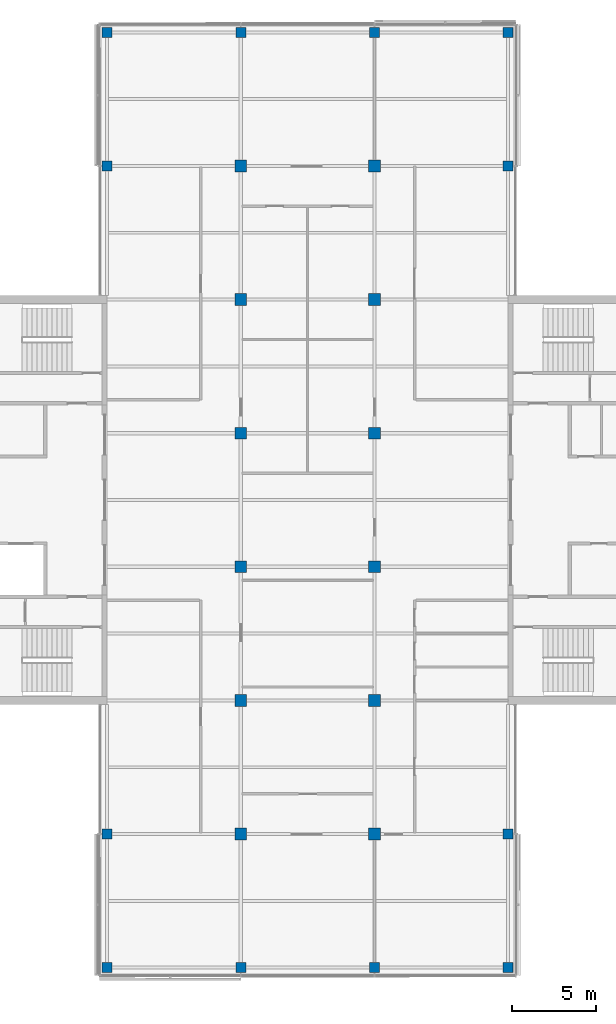
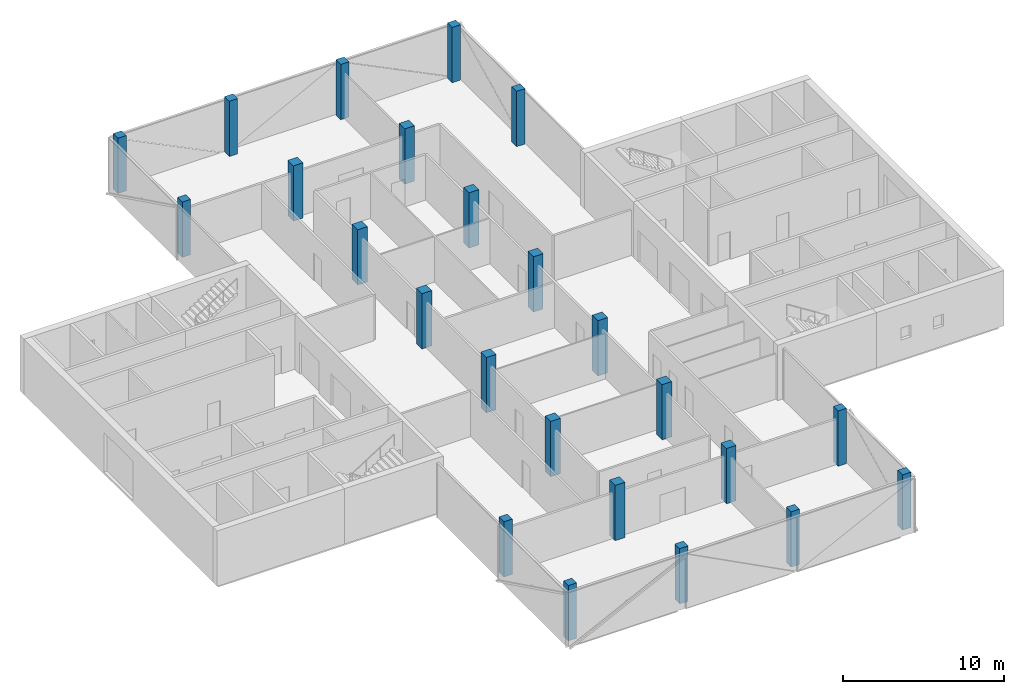
# One storey, part 1 of 15: 24 columns.
"""IFC4 building model written with IfcOpenShell, lengths in metres."""

import ifcopenshell
import ifcopenshell.guid

model = None  # the IFC model being written
_history = None  # IfcOwnerHistory: only IFC2X3 demands one
_inside = {}  # id of a spatial element -> (the spatial element, [elements in it])
_under = {}  # id of a project, library or spatial element -> (it, [spatial elements below it])
_declared = {}  # id of a project -> (the project, [libraries it declares])
_typed = {}  # id of a type object -> (the type object, [elements of that type])
_made_of = {}  # id of a material, layer set ... -> (it, [elements and type objects made of it])


def new_model(schema):
    """Start an empty IFC model of exactly this schema.

    Asked for "IFC4X3", IfcOpenShell would pick the latest addendum, in which some entities
    have other attributes; the version numbers below select the first issue.
    IFC2X3 requires an IfcOwnerHistory on every rooted entity: one is made here for all.
    """
    global model, _history
    if schema == "IFC4X3":
        model = ifcopenshell.file(schema_version=(4, 3, 0, 0))
    else:
        model = ifcopenshell.file(schema=schema)
    _inside.clear()
    _under.clear()
    _declared.clear()
    _typed.clear()
    _made_of.clear()
    _history = None
    if model.schema == "IFC2X3":
        org = make("IfcOrganization", Name="unknown")
        user = make(
            "IfcPersonAndOrganization",
            ThePerson=make("IfcPerson", FamilyName="unknown"),
            TheOrganization=org,
        )
        app = make(
            "IfcApplication",
            ApplicationDeveloper=org,
            Version="unknown",
            ApplicationFullName="unknown",
            ApplicationIdentifier="unknown",
        )
        _history = make(
            "IfcOwnerHistory",
            OwningUser=user,
            OwningApplication=app,
            ChangeAction="ADDED",
            CreationDate=0,
        )
    return model


def make(cls, **values):
    """One entity of the class cls with the attributes given. An attribute that is None is left unset."""
    return model.create_entity(
        cls, **{name: value for name, value in values.items() if value is not None}
    )


def rooted(cls, **values):
    """An entity with a GlobalId (a new one), such as an element, a storey or a relation."""
    return make(cls, GlobalId=ifcopenshell.guid.new(), OwnerHistory=_history, **values)


def si_unit(unit_type, name, prefix=None):
    """IfcSIUnit, for example si_unit("LENGTHUNIT", "METRE", prefix="MILLI")."""
    return make("IfcSIUnit", UnitType=unit_type, Prefix=prefix, Name=name)


def assignment(units):
    """IfcUnitAssignment: the units of a project."""
    return None if units is None else make("IfcUnitAssignment", Units=units)


def point(xyz):
    """IfcCartesianPoint."""
    return None if xyz is None else make("IfcCartesianPoint", Coordinates=xyz)


def direction(xyz):
    """IfcDirection."""
    return None if xyz is None else make("IfcDirection", DirectionRatios=xyz)


def frame(location, z_axis=None, x_axis=None):
    """IfcAxis2Placement3D, a coordinate frame: its origin and axes. An axis left out is left unset."""
    return make(
        "IfcAxis2Placement3D",
        Location=point(location),
        Axis=direction(z_axis),
        RefDirection=direction(x_axis),
    )


def frame_2d(location, x_axis=None):
    """IfcAxis2Placement2D, a coordinate frame in the plane: its origin and x axis."""
    return make(
        "IfcAxis2Placement2D", Location=point(location), RefDirection=direction(x_axis)
    )


def origin():
    """The frame at (0, 0, 0) with its axes left unset."""
    return frame((0.0, 0.0, 0.0))


def origin_2d():
    """The frame at (0, 0) in the plane with its x axis left unset."""
    return frame_2d((0.0, 0.0))


def place(relative_to, where):
    """IfcLocalPlacement: puts the frame where relative to a parent placement (None: the world)."""
    return make(
        "IfcLocalPlacement", PlacementRelTo=relative_to, RelativePlacement=where
    )


def context(
    kind, dimensions, precision=None, world=None, true_north=None, identifier=None
):
    """IfcGeometricRepresentationContext, for example the 3D "Model" context."""
    return make(
        "IfcGeometricRepresentationContext",
        ContextIdentifier=identifier,
        ContextType=kind,
        CoordinateSpaceDimension=dimensions,
        Precision=precision,
        WorldCoordinateSystem=world,
        TrueNorth=true_north,
    )


def subcontext(parent, identifier, kind, view, scale=None):
    """IfcGeometricRepresentationSubContext, for example "Body" below "Model"."""
    return make(
        "IfcGeometricRepresentationSubContext",
        ContextIdentifier=identifier,
        ContextType=kind,
        ParentContext=parent,
        TargetScale=scale,
        TargetView=view,
    )


def project(units=None, contexts=None):
    """IfcProject with its units and contexts."""
    return rooted(
        "IfcProject",
        Name="project",
        RepresentationContexts=contexts,
        UnitsInContext=assignment(units),
    )


def spatial(cls, under=None, at=None, **own):
    """A site, building, storey or space (cls), placed at a placement, below another one or the project."""
    s = rooted(cls, ObjectPlacement=at, **own)
    if under is not None:
        _under.setdefault(under.id(), (under, []))[1].append(s)
    return s


def profile(cls, at=None, kind="AREA", **sizes):
    """A parametric profile (cls). Its sizes go by their IFC names, for example OverallWidth=200.0."""
    return make(cls, ProfileType=kind, Position=at, **sizes)


def rectangle(**sizes):
    """IfcRectangleProfileDef."""
    return profile("IfcRectangleProfileDef", **sizes)


def extrude(swept, where, along, depth):
    """IfcExtrudedAreaSolid: the profile swept, set in the frame where, extruded along a direction by depth."""
    return make(
        "IfcExtrudedAreaSolid",
        SweptArea=swept,
        Position=where,
        ExtrudedDirection=direction(along),
        Depth=depth,
    )


def shape(context_of_items, identifier, shape_type, items):
    """IfcShapeRepresentation: the items that make up one representation, for example the "Body"."""
    return make(
        "IfcShapeRepresentation",
        ContextOfItems=context_of_items,
        RepresentationIdentifier=identifier,
        RepresentationType=shape_type,
        Items=items,
    )


def material(Name=None, Category=None):
    """IfcMaterial."""
    return make("IfcMaterial", Name=Name, Category=Category)


def material_profile(
    of_material, cross_section, Name=None, Category=None, Priority=None
):
    """IfcMaterialProfile: a cross section and its material."""
    return make(
        "IfcMaterialProfile",
        Name=Name,
        Material=of_material,
        Profile=cross_section,
        Priority=Priority,
        Category=Category,
    )


def profile_set(profiles, Name=None, composite=None):
    """IfcMaterialProfileSet."""
    return make(
        "IfcMaterialProfileSet",
        Name=Name,
        MaterialProfiles=profiles,
        CompositeProfile=composite,
    )


def made_of(thing, what):
    """Note that an element or type object is made of a material, layer set ...; save() writes the relation."""
    if what is not None:
        _made_of.setdefault(what.id(), (what, []))[1].append(thing)
    return thing


def type_object(cls, material=None, **own):
    """A type object (cls), such as IfcWallType, which elements share."""
    return made_of(rooted(cls, **own), material)


def element(
    cls,
    number,
    at=None,
    inside=None,
    cuts=None,
    type_object=None,
    material=None,
    context=None,
    identifier="Body",
    shape_type=None,
    held_by="IfcProductDefinitionShape",
    body=None,
    shapes=None,
    **own,
):
    """One element of the class cls, such as IfcWall. Its Tag is "e" and its number.

    at: its placement. inside: the storey or other place that contains it. cuts: it is an
    opening in that element (IfcRelVoidsElement). A single representation is given by context,
    identifier, shape_type and body (its items); several are given by shapes. held_by: the class
    of the entity that holds the representations. save() writes the other relations.
    """
    e = rooted(cls, Tag="e%d" % number, ObjectPlacement=at, **own)
    if body is not None:
        shapes = [shape(context, identifier, shape_type, body)]
    if shapes is not None:
        e.Representation = make(held_by, Representations=shapes)
    if inside is not None:
        _inside.setdefault(inside.id(), (inside, []))[1].append(e)
    if cuts is not None:
        rooted(
            "IfcRelVoidsElement", RelatingBuildingElement=cuts, RelatedOpeningElement=e
        )
    if type_object is not None:
        _typed.setdefault(type_object.id(), (type_object, []))[1].append(e)
    return made_of(e, material)


def aggregate(whole, parts):
    """IfcRelAggregates: a whole, such as a stair, and the parts it consists of."""
    return rooted("IfcRelAggregates", RelatingObject=whole, RelatedObjects=parts)


def save(model, path):
    """Write the relations noted so far, then the file.

    IfcRelAggregates (storeys below a building ...), IfcRelContainedInSpatialStructure (elements
    in a storey), IfcRelDefinesByType, IfcRelAssociatesMaterial and IfcRelDeclares: one each for
    every whole, place, type object, material and project.
    """
    for whole, parts in _under.values():
        aggregate(whole, parts)
    for where, things in _inside.values():
        rooted(
            "IfcRelContainedInSpatialStructure",
            RelatedElements=things,
            RelatingStructure=where,
        )
    for kind, things in _typed.values():
        rooted("IfcRelDefinesByType", RelatedObjects=things, RelatingType=kind)
    for what, things in _made_of.values():
        rooted("IfcRelAssociatesMaterial", RelatedObjects=things, RelatingMaterial=what)
    for by, libraries in _declared.values():
        rooted("IfcRelDeclares", RelatingContext=by, RelatedDefinitions=libraries)
    model.write(path)


model = new_model("IFC4")

# Units and contexts
model_context = context("Model", 3, precision=1e-05, world=origin(), true_north=direction((0.0, 1.0)))
body_context = subcontext(model_context, "Body", "Model", "MODEL_VIEW")
ifc_project = project(units=[si_unit("LENGTHUNIT", "METRE"), si_unit("AREAUNIT", "SQUARE_METRE"), si_unit("VOLUMEUNIT", "CUBIC_METRE"), si_unit("PLANEANGLEUNIT", "RADIAN"), si_unit("MASSUNIT", "GRAM", prefix="KILO")], contexts=[model_context])

# Site, building, storey
site_placement = place(None, origin())
site = spatial("IfcSite", under=ifc_project, at=site_placement, CompositionType="ELEMENT")
building_placement = place(site_placement, origin())
building = spatial("IfcBuilding", under=site, at=building_placement, Name="Crosswind Convention Tower", CompositionType="ELEMENT")
storey_placement = place(building_placement, frame((0.0, 0.0, 257.699951171875)))
storey = spatial("IfcBuildingStorey", under=building, at=storey_placement, Name="L55", CompositionType="ELEMENT", Elevation=257.699951171875)

# Columns
ifc_material = material(Name="Concrete C60/75", Category="concrete")
ifc_material_profile_1 = material_profile(ifc_material, rectangle(XDim=0.60009765625, YDim=0.60009765625, at=origin_2d()), Name="RC 600X600")
ifc_profile_set_1 = profile_set([ifc_material_profile_1], Name="Concrete C60/75")
column_type_1 = type_object("IfcColumnType", Name="Column RC 600X600", PredefinedType="COLUMN", material=ifc_profile_set_1)
for number, where, z_axis, x_axis, name in (
    (1, (113.0, 72.0, 0.0), (0.0, 0.0, 1.0), (1.0, 0.0, 0.0), "C16 L55 5/C"),
    (2, (113.0, 80.0, 0.0), (0.0, 0.0, 1.0), (1.0, 0.0, 0.0), "C16 L55 5/D"),
    (3, (113.0, 120.0, 0.0), (0.0, 0.0, 1.0), (1.0, 0.0, 0.0), "C16 L55 5/I"),
    (4, (113.0, 128.0, 0.0), (0.0, 0.0, 1.0), (1.0, 0.0, 0.0), "C16 L55 5/J"),
    (5, (121.0, 72.0, 0.0), (0.0, 0.0, 1.0), (1.0, 0.0, 0.0), "C16 L55 6/C"),
    (6, (121.0, 128.0, 0.0), (0.0, 0.0, 1.0), (1.0, 0.0, 0.0), "C16 L55 6/J"),
    (7, (129.0, 72.0, 0.0), (0.0, 0.0, 1.0), (1.0, 0.0, 0.0), "C16 L55 7/C"),
    (8, (129.0, 128.0, 0.0), (0.0, 0.0, 1.0), (1.0, 0.0, 0.0), "C16 L55 7/J"),
    (9, (137.0, 72.0, 0.0), (0.0, 0.0, 1.0), (1.0, 0.0, 0.0), "C16 L55 8/C"),
    (10, (137.0, 80.0, 0.0), (0.0, 0.0, 1.0), (1.0, 0.0, 0.0), "C16 L55 8/D"),
    (11, (137.0, 120.0, 0.0), (0.0, 0.0, 1.0), (1.0, 0.0, 0.0), "C16 L55 8/I"),
    (12, (137.0, 128.0, 0.0), (0.0, 0.0, 1.0), (1.0, 0.0, 0.0), "C16 L55 8/J"),
):
    element("IfcColumn", number, at=place(storey_placement, frame(where, z_axis=z_axis, x_axis=x_axis)), inside=storey, type_object=column_type_1, Name=name, PredefinedType="COLUMN", context=body_context, shape_type="SweptSolid", body=[
        extrude(rectangle(XDim=0.60009765625, YDim=0.60009765625, at=origin_2d()), origin(), (0.0, 0.0, 1.0), 4.199951171875),
    ])
ifc_material_profile_2 = material_profile(ifc_material, rectangle(XDim=0.699951171875, YDim=0.699951171875, at=origin_2d()), Name="RC 700X700")
ifc_profile_set_2 = profile_set([ifc_material_profile_2], Name="Concrete C60/75")
column_type_2 = type_object("IfcColumnType", Name="Column RC 700X700", PredefinedType="COLUMN", material=ifc_profile_set_2)
for number, where, z_axis, x_axis, name in (
    (13, (121.0, 80.0, 0.0), (0.0, 0.0, 1.0), (1.0, 0.0, 0.0), "C15 L55 6/D"),
    (14, (121.0, 88.0, 0.0), (0.0, 0.0, 1.0), (1.0, 0.0, 0.0), "C15 L55 6/E"),
    (15, (121.0, 96.0, 0.0), (0.0, 0.0, 1.0), (1.0, 0.0, 0.0), "C15 L55 6/F"),
    (16, (121.0, 104.0, 0.0), (0.0, 0.0, 1.0), (1.0, 0.0, 0.0), "C15 L55 6/G"),
    (17, (121.0, 112.0, 0.0), (0.0, 0.0, 1.0), (1.0, 0.0, 0.0), "C15 L55 6/H"),
    (18, (121.0, 120.0, 0.0), (0.0, 0.0, 1.0), (1.0, 0.0, 0.0), "C15 L55 6/I"),
    (19, (129.0, 80.0, 0.0), (0.0, 0.0, 1.0), (1.0, 0.0, 0.0), "C15 L55 7/D"),
    (20, (129.0, 88.0, 0.0), (0.0, 0.0, 1.0), (1.0, 0.0, 0.0), "C15 L55 7/E"),
    (21, (129.0, 96.0, 0.0), (0.0, 0.0, 1.0), (1.0, 0.0, 0.0), "C15 L55 7/F"),
    (22, (129.0, 104.0, 0.0), (0.0, 0.0, 1.0), (1.0, 0.0, 0.0), "C15 L55 7/G"),
    (23, (129.0, 112.0, 0.0), (0.0, 0.0, 1.0), (1.0, 0.0, 0.0), "C15 L55 7/H"),
    (24, (129.0, 120.0, 0.0), (0.0, 0.0, 1.0), (1.0, 0.0, 0.0), "C15 L55 7/I"),
):
    element("IfcColumn", number, at=place(storey_placement, frame(where, z_axis=z_axis, x_axis=x_axis)), inside=storey, type_object=column_type_2, Name=name, PredefinedType="COLUMN", context=body_context, shape_type="SweptSolid", body=[
        extrude(rectangle(XDim=0.699951171875, YDim=0.699951171875, at=origin_2d()), origin(), (0.0, 0.0, 1.0), 4.199951171875),
    ])

save(model, "model.ifc")
